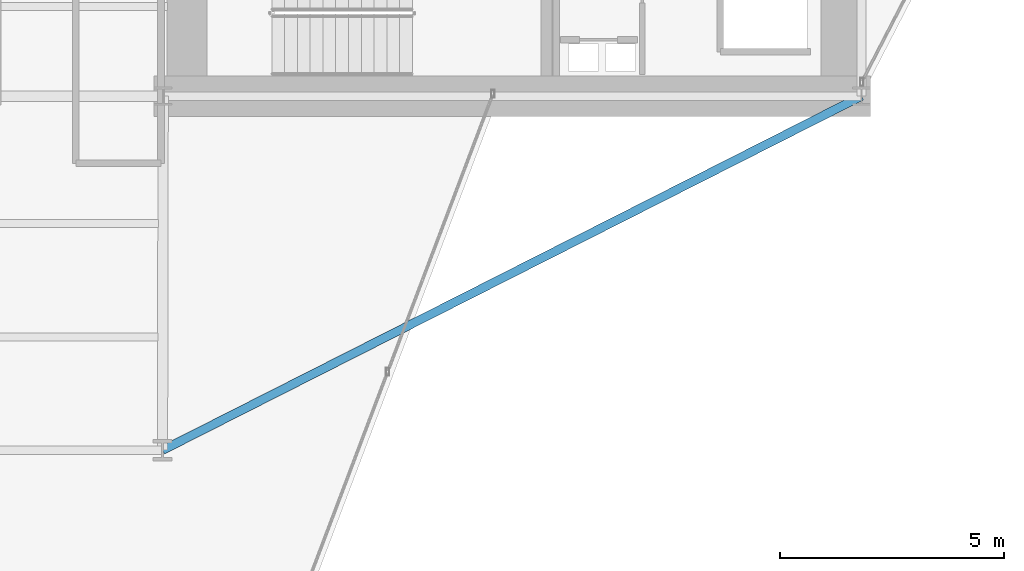
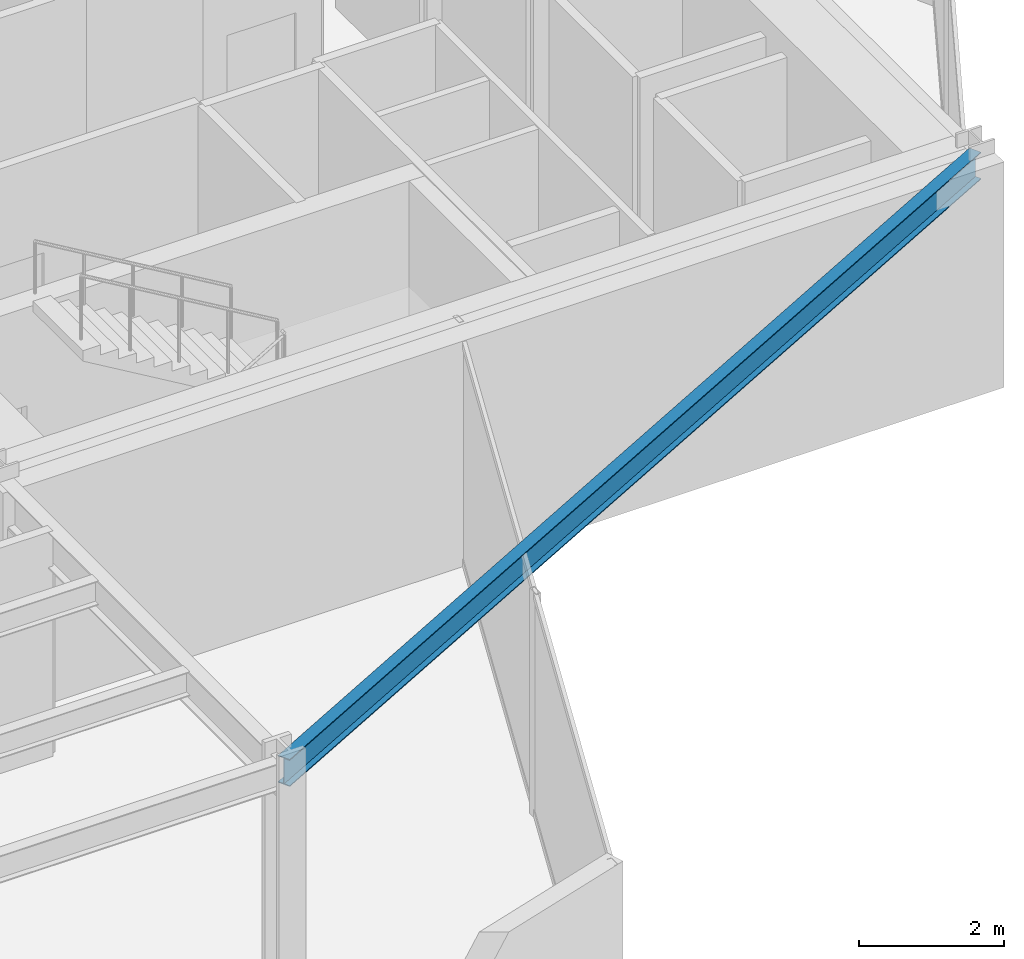
# One storey, part 14 of 29: 1 beam.
"""IFC4 building model written with IfcOpenShell, lengths in metres."""

from ifc_helpers import new_model, si_unit, direction, frame, origin, origin_2d, place, context, subcontext, project, spatial, i_section, extrude, material, material_profile, profile_set, type_object, element, save


model = new_model("IFC4")

# Units and contexts
model_context = context("Model", 3, precision=1e-05, world=origin(), true_north=direction((0.0, 1.0)))
body_context = subcontext(model_context, "Body", "Model", "MODEL_VIEW")
ifc_project = project(units=[si_unit("LENGTHUNIT", "METRE"), si_unit("AREAUNIT", "SQUARE_METRE"), si_unit("VOLUMEUNIT", "CUBIC_METRE"), si_unit("PLANEANGLEUNIT", "RADIAN"), si_unit("MASSUNIT", "GRAM", prefix="KILO")], contexts=[model_context])

# Site, building, storey
site_placement = place(None, origin())
site = spatial("IfcSite", under=ifc_project, at=site_placement, CompositionType="ELEMENT")
building_placement = place(site_placement, origin())
building = spatial("IfcBuilding", under=site, at=building_placement, Name="Veymaron Broadcast Tower", CompositionType="ELEMENT")
storey_placement = place(building_placement, frame((0.0, 0.0, 41.85009765625)))
storey = spatial("IfcBuildingStorey", under=building, at=storey_placement, Name="L08", CompositionType="ELEMENT", Elevation=41.85009765625)

# Beam
ifc_material = material(Name="Structural steel ASTM A992 Gr 50", Category="steel")
ifc_material_profile = material_profile(ifc_material, i_section(OverallWidth=0.19091796875, OverallDepth=0.4599609375, WebThickness=0.010009765625, FlangeThickness=0.01611328125, at=origin_2d()), Name="W460X82")
ifc_profile_set = profile_set([ifc_material_profile], Name="Structural steel ASTM A992 Gr 50")
beam_type = type_object("IfcBeamType", Name="BM-SP1", PredefinedType="SPANDREL", material=ifc_profile_set)
beam_placement = place(storey_placement, frame((54.60009765625, 16.0, 3.579833984375), z_axis=(-0.892074535594, -0.451888285913, 0.0), x_axis=(0.451888285913, -0.892074535594, 0.0)))
element("IfcBeam", 1, at=beam_placement, inside=storey, type_object=beam_type, Name="L08 primary structural floor girder", PredefinedType="SPANDREL", context=body_context, shape_type="SweptSolid", body=[
    extrude(i_section(OverallWidth=0.19091796875, OverallDepth=0.4599609375, WebThickness=0.010009765625, FlangeThickness=0.01611328125, at=origin_2d()), origin(), (0.0, 0.0, 1.0), 17.504150390625),
])

save(model, "model.ifc")
